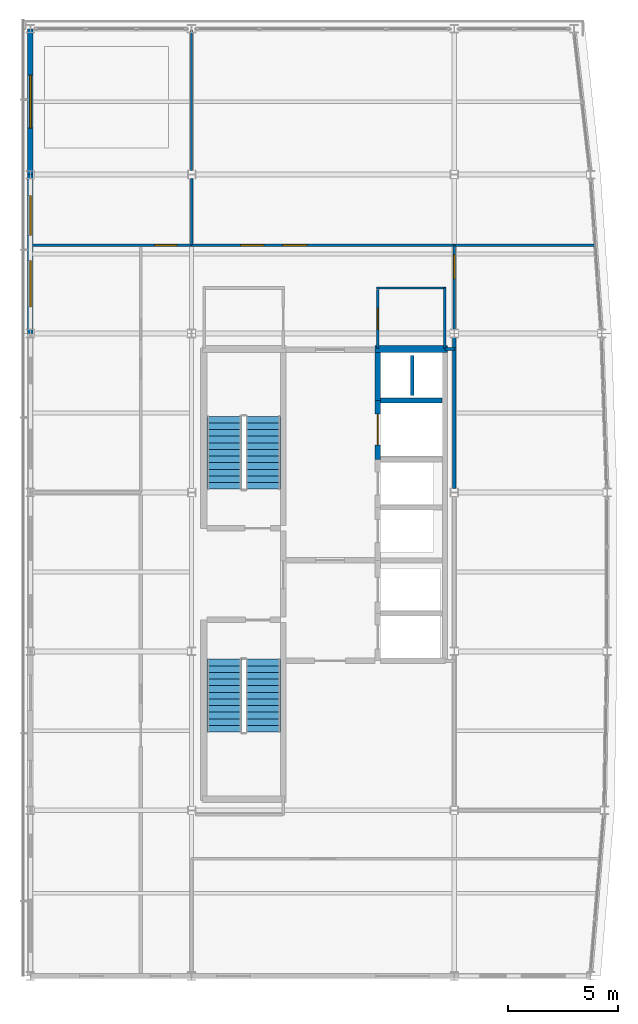
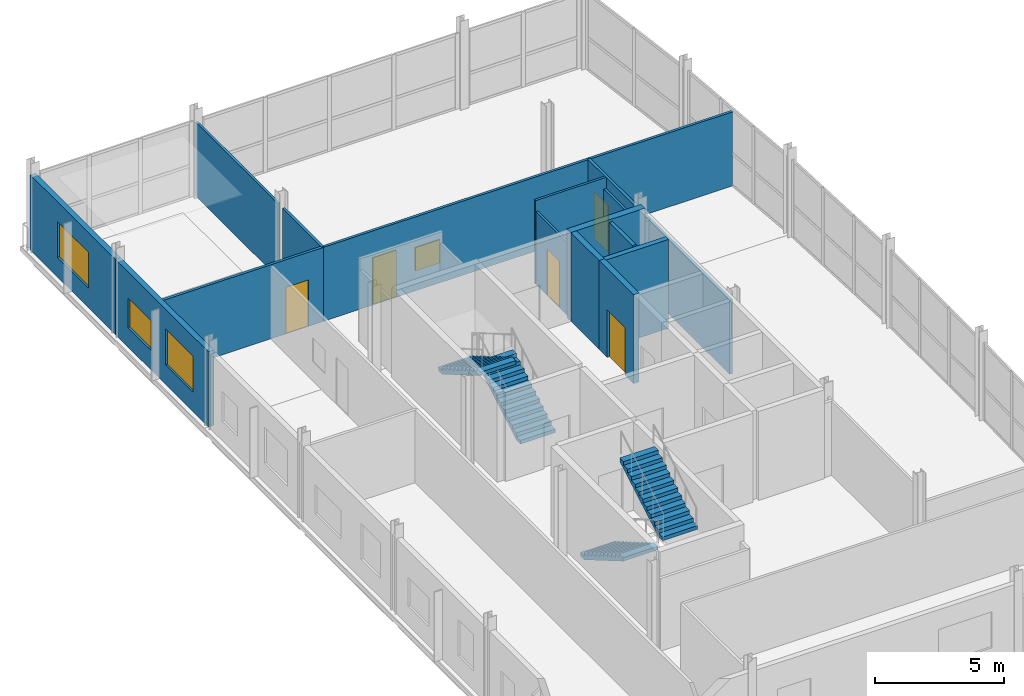
# One storey, part 13 of 16: 17 walls, 5 doors, 4 stair flights, 4 windows, 9 openings, 2 elements without a shape of their own.
"""IFC4 building model written with IfcOpenShell, lengths in metres."""

import ifcopenshell
import ifcopenshell.guid

model = None  # the IFC model being written
_history = None  # IfcOwnerHistory: only IFC2X3 demands one
_inside = {}  # id of a spatial element -> (the spatial element, [elements in it])
_under = {}  # id of a project, library or spatial element -> (it, [spatial elements below it])
_declared = {}  # id of a project -> (the project, [libraries it declares])
_typed = {}  # id of a type object -> (the type object, [elements of that type])
_made_of = {}  # id of a material, layer set ... -> (it, [elements and type objects made of it])


def new_model(schema):
    """Start an empty IFC model of exactly this schema.

    Asked for "IFC4X3", IfcOpenShell would pick the latest addendum, in which some entities
    have other attributes; the version numbers below select the first issue.
    IFC2X3 requires an IfcOwnerHistory on every rooted entity: one is made here for all.
    """
    global model, _history
    if schema == "IFC4X3":
        model = ifcopenshell.file(schema_version=(4, 3, 0, 0))
    else:
        model = ifcopenshell.file(schema=schema)
    _inside.clear()
    _under.clear()
    _declared.clear()
    _typed.clear()
    _made_of.clear()
    _history = None
    if model.schema == "IFC2X3":
        org = make("IfcOrganization", Name="unknown")
        user = make(
            "IfcPersonAndOrganization",
            ThePerson=make("IfcPerson", FamilyName="unknown"),
            TheOrganization=org,
        )
        app = make(
            "IfcApplication",
            ApplicationDeveloper=org,
            Version="unknown",
            ApplicationFullName="unknown",
            ApplicationIdentifier="unknown",
        )
        _history = make(
            "IfcOwnerHistory",
            OwningUser=user,
            OwningApplication=app,
            ChangeAction="ADDED",
            CreationDate=0,
        )
    return model


def make(cls, **values):
    """One entity of the class cls with the attributes given. An attribute that is None is left unset."""
    return model.create_entity(
        cls, **{name: value for name, value in values.items() if value is not None}
    )


def rooted(cls, **values):
    """An entity with a GlobalId (a new one), such as an element, a storey or a relation."""
    return make(cls, GlobalId=ifcopenshell.guid.new(), OwnerHistory=_history, **values)


def si_unit(unit_type, name, prefix=None):
    """IfcSIUnit, for example si_unit("LENGTHUNIT", "METRE", prefix="MILLI")."""
    return make("IfcSIUnit", UnitType=unit_type, Prefix=prefix, Name=name)


def assignment(units):
    """IfcUnitAssignment: the units of a project."""
    return None if units is None else make("IfcUnitAssignment", Units=units)


def point(xyz):
    """IfcCartesianPoint."""
    return None if xyz is None else make("IfcCartesianPoint", Coordinates=xyz)


def direction(xyz):
    """IfcDirection."""
    return None if xyz is None else make("IfcDirection", DirectionRatios=xyz)


def frame(location, z_axis=None, x_axis=None):
    """IfcAxis2Placement3D, a coordinate frame: its origin and axes. An axis left out is left unset."""
    return make(
        "IfcAxis2Placement3D",
        Location=point(location),
        Axis=direction(z_axis),
        RefDirection=direction(x_axis),
    )


def frame_2d(location, x_axis=None):
    """IfcAxis2Placement2D, a coordinate frame in the plane: its origin and x axis."""
    return make(
        "IfcAxis2Placement2D", Location=point(location), RefDirection=direction(x_axis)
    )


def origin():
    """The frame at (0, 0, 0) with its axes left unset."""
    return frame((0.0, 0.0, 0.0))


def place(relative_to, where):
    """IfcLocalPlacement: puts the frame where relative to a parent placement (None: the world)."""
    return make(
        "IfcLocalPlacement", PlacementRelTo=relative_to, RelativePlacement=where
    )


def context(
    kind, dimensions, precision=None, world=None, true_north=None, identifier=None
):
    """IfcGeometricRepresentationContext, for example the 3D "Model" context."""
    return make(
        "IfcGeometricRepresentationContext",
        ContextIdentifier=identifier,
        ContextType=kind,
        CoordinateSpaceDimension=dimensions,
        Precision=precision,
        WorldCoordinateSystem=world,
        TrueNorth=true_north,
    )


def subcontext(parent, identifier, kind, view, scale=None):
    """IfcGeometricRepresentationSubContext, for example "Body" below "Model"."""
    return make(
        "IfcGeometricRepresentationSubContext",
        ContextIdentifier=identifier,
        ContextType=kind,
        ParentContext=parent,
        TargetScale=scale,
        TargetView=view,
    )


def project(units=None, contexts=None):
    """IfcProject with its units and contexts."""
    return rooted(
        "IfcProject",
        Name="project",
        RepresentationContexts=contexts,
        UnitsInContext=assignment(units),
    )


def spatial(cls, under=None, at=None, **own):
    """A site, building, storey or space (cls), placed at a placement, below another one or the project."""
    s = rooted(cls, ObjectPlacement=at, **own)
    if under is not None:
        _under.setdefault(under.id(), (under, []))[1].append(s)
    return s


def polyline(points):
    """IfcPolyline through the points."""
    return make("IfcPolyline", Points=[point(p) for p in points])


def profile(cls, at=None, kind="AREA", **sizes):
    """A parametric profile (cls). Its sizes go by their IFC names, for example OverallWidth=200.0."""
    return make(cls, ProfileType=kind, Position=at, **sizes)


def rectangle(**sizes):
    """IfcRectangleProfileDef."""
    return profile("IfcRectangleProfileDef", **sizes)


def outline(outer, holes=None, kind="AREA"):
    """IfcArbitraryClosedProfileDef: a profile drawn as a closed curve; with holes, ...WithVoids."""
    if holes is None:
        return make("IfcArbitraryClosedProfileDef", ProfileType=kind, OuterCurve=outer)
    return make(
        "IfcArbitraryProfileDefWithVoids",
        ProfileType=kind,
        OuterCurve=outer,
        InnerCurves=holes,
    )


def extrude(swept, where, along, depth):
    """IfcExtrudedAreaSolid: the profile swept, set in the frame where, extruded along a direction by depth."""
    return make(
        "IfcExtrudedAreaSolid",
        SweptArea=swept,
        Position=where,
        ExtrudedDirection=direction(along),
        Depth=depth,
    )


def shape(context_of_items, identifier, shape_type, items):
    """IfcShapeRepresentation: the items that make up one representation, for example the "Body"."""
    return make(
        "IfcShapeRepresentation",
        ContextOfItems=context_of_items,
        RepresentationIdentifier=identifier,
        RepresentationType=shape_type,
        Items=items,
    )


def material(Name=None, Category=None):
    """IfcMaterial."""
    return make("IfcMaterial", Name=Name, Category=Category)


def layer(
    of_material, thickness, ventilated=None, Name=None, Category=None, Priority=None
):
    """IfcMaterialLayer: one layer of a wall or slab, of a material (None: an air gap)."""
    return make(
        "IfcMaterialLayer",
        Material=of_material,
        LayerThickness=thickness,
        IsVentilated=ventilated,
        Name=Name,
        Category=Category,
        Priority=Priority,
    )


def layer_set(layers, Name=None):
    """IfcMaterialLayerSet."""
    return make("IfcMaterialLayerSet", MaterialLayers=layers, LayerSetName=Name)


def made_of(thing, what):
    """Note that an element or type object is made of a material, layer set ...; save() writes the relation."""
    if what is not None:
        _made_of.setdefault(what.id(), (what, []))[1].append(thing)
    return thing


def type_object(cls, material=None, **own):
    """A type object (cls), such as IfcWallType, which elements share."""
    return made_of(rooted(cls, **own), material)


def element(
    cls,
    number,
    at=None,
    inside=None,
    cuts=None,
    type_object=None,
    material=None,
    context=None,
    identifier="Body",
    shape_type=None,
    held_by="IfcProductDefinitionShape",
    body=None,
    shapes=None,
    **own,
):
    """One element of the class cls, such as IfcWall. Its Tag is "e" and its number.

    at: its placement. inside: the storey or other place that contains it. cuts: it is an
    opening in that element (IfcRelVoidsElement). A single representation is given by context,
    identifier, shape_type and body (its items); several are given by shapes. held_by: the class
    of the entity that holds the representations. save() writes the other relations.
    """
    e = rooted(cls, Tag="e%d" % number, ObjectPlacement=at, **own)
    if body is not None:
        shapes = [shape(context, identifier, shape_type, body)]
    if shapes is not None:
        e.Representation = make(held_by, Representations=shapes)
    if inside is not None:
        _inside.setdefault(inside.id(), (inside, []))[1].append(e)
    if cuts is not None:
        rooted(
            "IfcRelVoidsElement", RelatingBuildingElement=cuts, RelatedOpeningElement=e
        )
    if type_object is not None:
        _typed.setdefault(type_object.id(), (type_object, []))[1].append(e)
    return made_of(e, material)


def fill(opening, filler):
    """IfcRelFillsElement: the door or window that sits in an opening."""
    return rooted(
        "IfcRelFillsElement",
        RelatingOpeningElement=opening,
        RelatedBuildingElement=filler,
    )


def aggregate(whole, parts):
    """IfcRelAggregates: a whole, such as a stair, and the parts it consists of."""
    return rooted("IfcRelAggregates", RelatingObject=whole, RelatedObjects=parts)


def save(model, path):
    """Write the relations noted so far, then the file.

    IfcRelAggregates (storeys below a building ...), IfcRelContainedInSpatialStructure (elements
    in a storey), IfcRelDefinesByType, IfcRelAssociatesMaterial and IfcRelDeclares: one each for
    every whole, place, type object, material and project.
    """
    for whole, parts in _under.values():
        aggregate(whole, parts)
    for where, things in _inside.values():
        rooted(
            "IfcRelContainedInSpatialStructure",
            RelatedElements=things,
            RelatingStructure=where,
        )
    for kind, things in _typed.values():
        rooted("IfcRelDefinesByType", RelatedObjects=things, RelatingType=kind)
    for what, things in _made_of.values():
        rooted("IfcRelAssociatesMaterial", RelatedObjects=things, RelatingMaterial=what)
    for by, libraries in _declared.values():
        rooted("IfcRelDeclares", RelatingContext=by, RelatedDefinitions=libraries)
    model.write(path)


model = new_model("IFC4")

# Units and contexts
model_context = context("Model", 3, precision=1e-05, world=origin(), true_north=direction((0.0, 1.0)))
body_context = subcontext(model_context, "Body", "Model", "MODEL_VIEW")
ifc_project = project(units=[si_unit("LENGTHUNIT", "METRE"), si_unit("AREAUNIT", "SQUARE_METRE"), si_unit("VOLUMEUNIT", "CUBIC_METRE"), si_unit("PLANEANGLEUNIT", "RADIAN"), si_unit("MASSUNIT", "GRAM", prefix="KILO")], contexts=[model_context])

# Site, building, storey
site_placement = place(None, origin())
site = spatial("IfcSite", under=ifc_project, at=site_placement, CompositionType="ELEMENT")
building_placement = place(site_placement, origin())
building = spatial("IfcBuilding", under=site, at=building_placement, Name="Quillay Park Conservatory", CompositionType="ELEMENT")
storey_placement = place(building_placement, frame((0.0, 0.0, 43.5)))
storey = spatial("IfcBuildingStorey", under=building, at=storey_placement, Name="L10", CompositionType="ELEMENT", Elevation=43.5)

# Wall, opening, door
ifc_material_1 = material(Name="Steel-Stud Acoustic Gypsum Board Partition", Category="steel")
ifc_layer_1 = layer(ifc_material_1, 0.10009765625)
ifc_layer_set_1 = layer_set([ifc_layer_1], Name="ACOUSTIC GYPSUM PARTITION 100 (Steel-Stud Acoustic Gypsum Board Partition)")
wall_type_1 = type_object("IfcWallType", Name="ACOUSTIC GYPSUM PARTITION 100", PredefinedType="PARTITIONING", material=ifc_layer_set_1)
wall_1_placement = place(storey_placement, frame((16.280029296875, 98.919921875, 0.0), z_axis=(0.0, 0.0, 1.0), x_axis=(0.0, 1.0, 0.0)))
wall_1 = element("IfcWall", 1, at=wall_1_placement, inside=storey, type_object=wall_type_1, Name="L10 Washroom Door Wall", PredefinedType="PARTITIONING", context=body_context, shape_type="SweptSolid", body=[
    extrude(rectangle(XDim=2.68017578125, YDim=0.10009765625, at=frame_2d((1.340087890625, 0.0))), origin(), (0.0, 0.0, 1.0), 3.426025390625),
])
opening_1_placement = place(wall_1_placement, frame((0.864990234375, 0.0, 0.0)))
opening_1 = element("IfcOpeningElement", 2, at=opening_1_placement, cuts=wall_1, Name="Opening D-RM13", PredefinedType="OPENING", context=body_context, shape_type="SweptSolid", body=[
    extrude(rectangle(XDim=0.949951171875, YDim=2.199951171875, at=frame_2d((0.47509765625, 1.10009765625))), frame((0.0, 0.050048828125, 0.0), z_axis=(0.0, -1.0, 0.0), x_axis=(1.0, 0.0, 0.0)), (0.0, 0.0, 1.0), 0.10009765625),
])
ifc_material_2 = material(Name="Thermally Broken Anodised Aluminium 6063-T6", Category="aluminium")
door_type_1 = type_object("IfcDoorType", Name="SINGLE SWING DOOR 950 X2200", OperationType="NOTDEFINED", PredefinedType="DOOR", material=ifc_material_2)
door_1_placement = place(opening_1_placement, origin())
door_1 = element("IfcDoor", 3, at=door_1_placement, inside=storey, type_object=door_type_1, Name="L10 Door to L10 Restroom and Washroom", OperationType="SINGLE_SWING_RIGHT", OverallHeight=2.199951171875, OverallWidth=0.949951171875, PredefinedType="DOOR", context=body_context, shape_type="SweptSolid", body=[
    extrude(rectangle(XDim=0.949951171875, YDim=2.199951171875, at=frame_2d((0.47509765625, 1.10009765625))), frame((0.0, 0.02490234375, 0.0), z_axis=(0.0, -1.0, 0.0), x_axis=(1.0, 0.0, 0.0)), (0.0, 0.0, 1.0), 0.050048828125),
])
fill(opening_1, door_1)

# Walls
ifc_material_3 = material(Name="Steel-Stud Acoustic Gypsum Board Partition", Category="steel")
ifc_layer_2 = layer(ifc_material_3, 0.10498046875)
ifc_layer_set_2 = layer_set([ifc_layer_2], Name="ACOUSTIC GYPSUM PARTITION 105 (Steel-Stud Acoustic Gypsum Board Partition)")
wall_type_2 = type_object("IfcWallType", Name="ACOUSTIC GYPSUM PARTITION 105", PredefinedType="PARTITIONING", material=ifc_layer_set_2)
wall_2_placement = place(storey_placement, frame((19.3798828125, 101.659912109375, 0.0), z_axis=(0.0, 0.0, 1.0), x_axis=(-1.0, 0.0, 0.0)))
element("IfcWall", 4, at=wall_2_placement, inside=storey, type_object=wall_type_2, Name="L10 Washroom North Wall", PredefinedType="PARTITIONING", context=body_context, shape_type="SweptSolid", body=[
    extrude(rectangle(XDim=3.159912109375, YDim=0.10498046875, at=frame_2d((1.580078125, 0.0))), origin(), (0.0, 0.0, 1.0), 3.949951171875),
])
wall_3_placement = place(storey_placement, frame((7.85009765625, 113.35009765625, 0.0), z_axis=(0.0, 0.0, 1.0), x_axis=(0.0, -1.0, 0.0)))
element("IfcWall", 5, at=wall_3_placement, inside=storey, type_object=wall_type_2, Name="L10 North Divider 7 N", PredefinedType="PARTITIONING", context=body_context, shape_type="SweptSolid", body=[
    extrude(rectangle(XDim=6.36962890625, YDim=0.10498046875, at=frame_2d((3.184814453125, 0.0))), origin(), (0.0, 0.0, 1.0), 3.501953125),
])
ifc_material_4 = material(Name="Steel-Stud Acoustic Gypsum Board Partition", Category="steel")
ifc_layer_3 = layer(ifc_material_4, 0.110107421875)
ifc_layer_set_3 = layer_set([ifc_layer_3], Name="ACOUSTIC GYPSUM PARTITION 110 (Steel-Stud Acoustic Gypsum Board Partition)")
wall_type_3 = type_object("IfcWallType", Name="ACOUSTIC GYPSUM PARTITION 110", PredefinedType="PARTITIONING", material=ifc_layer_set_3)
wall_4_placement = place(storey_placement, frame((19.320068359375, 98.919921875, 0.0), z_axis=(0.0, 0.0, 1.0), x_axis=(0.0, 1.0, 0.0)))
element("IfcWall", 6, at=wall_4_placement, inside=storey, type_object=wall_type_3, Name="L10 Washroom East Wall", PredefinedType="PARTITIONING", context=body_context, shape_type="SweptSolid", body=[
    extrude(rectangle(XDim=2.739990234375, YDim=0.110107421875, at=frame_2d((1.3701171875, 0.0))), origin(), (0.0, 0.0, 1.0), 3.426025390625),
])
wall_5_placement = place(storey_placement, frame((7.85009765625, 106.619384765625, 0.0), z_axis=(0.0, 0.0, 1.0), x_axis=(0.0, -1.0, 0.0)))
element("IfcWall", 7, at=wall_5_placement, inside=storey, type_object=wall_type_3, Name="L10 North Divider 7 S", PredefinedType="PARTITIONING", context=body_context, shape_type="SweptSolid", body=[
    extrude(rectangle(XDim=3.019287109375, YDim=0.110107421875, at=frame_2d((1.509765625, 0.0))), origin(), (0.0, 0.0, 1.0), 3.501953125),
])

# Wall, openings, window, door
ifc_material_5 = material(Name="Steel-Stud Acoustic Gypsum Board Partition", Category="steel")
ifc_layer_4 = layer(ifc_material_5, 0.114990234375)
ifc_layer_set_4 = layer_set([ifc_layer_4], Name="ACOUSTIC GYPSUM PARTITION 115 (Steel-Stud Acoustic Gypsum Board Partition)")
wall_type_4 = type_object("IfcWallType", Name="ACOUSTIC GYPSUM PARTITION 115", PredefinedType="PARTITIONING", material=ifc_layer_set_4)
wall_6_placement = place(storey_placement, frame((7.85009765625, 103.60009765625, 0.0), z_axis=(0.0, 0.0, 1.0), x_axis=(1.0, 0.0, 0.0)))
wall_6 = element("IfcWall", 8, at=wall_6_placement, inside=storey, type_object=wall_type_4, Name="L10 L10 Plant Genomics Sequencing Research Laboratory South Wall", PredefinedType="PARTITIONING", context=body_context, shape_type="SweptSolid", body=[
    extrude(rectangle(XDim=18.31494140625, YDim=0.114990234375, at=frame_2d((9.157470703125, 0.0))), origin(), (0.0, 0.0, 1.0), 3.501953125),
])
opening_2_placement = place(wall_6_placement, frame((2.22509765625, 0.0, 0.0)))
opening_2 = element("IfcOpeningElement", 9, at=opening_2_placement, cuts=wall_6, Name="Opening D-RM15", PredefinedType="OPENING", context=body_context, shape_type="SweptSolid", body=[
    extrude(rectangle(XDim=1.050048828125, YDim=2.199951171875, at=frame_2d((0.52490234375, 1.10009765625))), frame((0.0, 0.0576171875, 0.0), z_axis=(0.0, -1.0, 0.0), x_axis=(1.0, 0.0, 0.0)), (0.0, 0.0, 1.0), 0.114990234375),
])
opening_3_placement = place(wall_6_placement, frame((4.125, 0.0, 0.919921875)))
opening_3 = element("IfcOpeningElement", 10, at=opening_3_placement, cuts=wall_6, Name="Opening W-IN03", PredefinedType="OPENING", context=body_context, shape_type="SweptSolid", body=[
    extrude(rectangle(XDim=1.10009765625, YDim=1.10009765625, at=frame_2d((0.550048828125, 0.550048828125))), frame((0.0, 0.0576171875, 0.0), z_axis=(0.0, -1.0, 0.0), x_axis=(1.0, 0.0, 0.0)), (0.0, 0.0, 1.0), 0.114990234375),
])
ifc_material_6 = material(Name="Low-E Double Glazing (Laminated Tempered)", Category="glass")
window_type_1 = type_object("IfcWindowType", Name="OPERABLE VENT WINDOW 1100 X1100", PartitioningType="SINGLE_PANEL", PredefinedType="WINDOW", material=ifc_material_6)
window_1_placement = place(opening_3_placement, origin())
window_1 = element("IfcWindow", 11, at=window_1_placement, inside=storey, type_object=window_type_1, Name="L10 Laboratory Vision Panel 039", OverallHeight=1.10009765625, OverallWidth=1.10009765625, PartitioningType="SINGLE_PANEL", PredefinedType="WINDOW", context=body_context, shape_type="SweptSolid", body=[
    extrude(rectangle(XDim=1.10009765625, YDim=1.10009765625, at=frame_2d((0.550048828125, 0.550048828125))), frame((0.0, 0.030029296875, 0.0), z_axis=(0.0, -1.0, 0.0), x_axis=(1.0, 0.0, 0.0)), (0.0, 0.0, 1.0), 0.06005859375),
])
fill(opening_3, window_1)
ifc_material_7 = material(Name="Thermally Broken Anodised Aluminium 6063-T6", Category="aluminium")
door_type_2 = type_object("IfcDoorType", Name="SINGLE SWING DOOR 1050 X2200", OperationType="NOTDEFINED", PredefinedType="DOOR", material=ifc_material_7)
door_2_placement = place(opening_2_placement, origin())
door_2 = element("IfcDoor", 12, at=door_2_placement, inside=storey, type_object=door_type_2, Name="L10 Door to L10 Plant Genomics Sequencing Research Laboratory", OperationType="SINGLE_SWING_LEFT", OverallHeight=2.199951171875, OverallWidth=1.050048828125, PredefinedType="DOOR", context=body_context, shape_type="SweptSolid", body=[
    extrude(rectangle(XDim=1.050048828125, YDim=2.199951171875, at=frame_2d((0.52490234375, 1.10009765625))), frame((0.0, 0.02490234375, 0.0), z_axis=(0.0, -1.0, 0.0), x_axis=(1.0, 0.0, 0.0)), (0.0, 0.0, 1.0), 0.050048828125),
])
fill(opening_2, door_2)

# Wall, opening, door
ifc_material_8 = material(Name="Steel-Stud Acoustic Gypsum Board Partition", Category="steel")
ifc_layer_5 = layer(ifc_material_8, 0.1201171875)
ifc_layer_set_5 = layer_set([ifc_layer_5], Name="ACOUSTIC GYPSUM PARTITION 120 (Steel-Stud Acoustic Gypsum Board Partition)")
wall_type_5 = type_object("IfcWallType", Name="ACOUSTIC GYPSUM PARTITION 120", PredefinedType="PARTITIONING", material=ifc_layer_set_5)
wall_7_placement = place(storey_placement, frame((0.64990234375, 103.60009765625, 0.0), z_axis=(0.0, 0.0, 1.0), x_axis=(1.0, 0.0, 0.0)))
wall_7 = element("IfcWall", 13, at=wall_7_placement, inside=storey, type_object=wall_type_5, Name="L10 L10 Plant Epigenetics Assay Room South Wall", PredefinedType="PARTITIONING", context=body_context, shape_type="SweptSolid", body=[
    extrude(rectangle(XDim=7.2001953125, YDim=0.1201171875, at=frame_2d((3.60009765625, 0.0))), origin(), (0.0, 0.0, 1.0), 3.501953125),
])
opening_4_placement = place(wall_7_placement, frame((5.530029296875, 0.0, 0.0)))
opening_4 = element("IfcOpeningElement", 14, at=opening_4_placement, cuts=wall_7, Name="Opening D-RM14", PredefinedType="OPENING", context=body_context, shape_type="SweptSolid", body=[
    extrude(rectangle(XDim=1.0, YDim=2.199951171875, at=frame_2d((0.5, 1.10009765625))), frame((0.0, 0.06005859375, 0.0), z_axis=(0.0, -1.0, 0.0), x_axis=(1.0, 0.0, 0.0)), (0.0, 0.0, 1.0), 0.1201171875),
])
ifc_material_9 = material(Name="Thermally Broken Anodised Aluminium 6063-T6", Category="aluminium")
door_type_3 = type_object("IfcDoorType", Name="SINGLE SWING DOOR 1000 X2200", OperationType="NOTDEFINED", PredefinedType="DOOR", material=ifc_material_9)
door_3_placement = place(opening_4_placement, origin())
door_3 = element("IfcDoor", 15, at=door_3_placement, inside=storey, type_object=door_type_3, Name="L10 Door to L10 Plant Epigenetics Assay Room", OperationType="SINGLE_SWING_RIGHT", OverallHeight=2.199951171875, OverallWidth=1.0, PredefinedType="DOOR", context=body_context, shape_type="SweptSolid", body=[
    extrude(rectangle(XDim=1.0, YDim=2.199951171875, at=frame_2d((0.5, 1.10009765625))), frame((0.0, 0.02490234375, 0.0), z_axis=(0.0, -1.0, 0.0), x_axis=(1.0, 0.0, 0.0)), (0.0, 0.0, 1.0), 0.050048828125),
])
fill(opening_4, door_3)

ifc_material_10 = material(Name="Steel-Stud Acoustic Gypsum Board Partition", Category="steel")
ifc_layer_6 = layer(ifc_material_10, 0.1298828125)
ifc_layer_set_6 = layer_set([ifc_layer_6], Name="ACOUSTIC GYPSUM PARTITION 130 (Steel-Stud Acoustic Gypsum Board Partition)")
wall_type_6 = type_object("IfcWallType", Name="ACOUSTIC GYPSUM PARTITION 130", PredefinedType="PARTITIONING", material=ifc_layer_set_6)
wall_8_placement = place(storey_placement, frame((19.75, 99.777099609375, 0.0), z_axis=(0.0, 0.0, 1.0), x_axis=(0.0, 1.0, 0.0)))
wall_8 = element("IfcWall", 16, at=wall_8_placement, inside=storey, type_object=wall_type_6, Name="L10 L10 Genomics Bioassay Wet Laboratory West Wall 4", PredefinedType="PARTITIONING", context=body_context, shape_type="SweptSolid", body=[
    extrude(rectangle(XDim=3.822998046875, YDim=0.1298828125, at=frame_2d((1.91162109375, 0.0))), origin(), (0.0, 0.0, 1.0), 3.501953125),
])
opening_5_placement = place(wall_8_placement, frame((2.29296875, 0.0, 0.0)))
opening_5 = element("IfcOpeningElement", 17, at=opening_5_placement, cuts=wall_8, Name="Opening D-RM16", PredefinedType="OPENING", context=body_context, shape_type="SweptSolid", body=[
    extrude(rectangle(XDim=1.10009765625, YDim=2.199951171875, at=frame_2d((0.550048828125, 1.10009765625))), frame((0.0, 0.06494140625, 0.0), z_axis=(0.0, -1.0, 0.0), x_axis=(1.0, 0.0, 0.0)), (0.0, 0.0, 1.0), 0.1298828125),
])
ifc_material_11 = material(Name="Thermally Broken Anodised Aluminium 6063-T6", Category="aluminium")
door_type_4 = type_object("IfcDoorType", Name="SINGLE SWING DOOR 1100 X2200", OperationType="NOTDEFINED", PredefinedType="DOOR", material=ifc_material_11)
door_4_placement = place(opening_5_placement, origin())
door_4 = element("IfcDoor", 18, at=door_4_placement, inside=storey, type_object=door_type_4, Name="L10 Door to L10 Genomics Bioassay Wet Laboratory", OperationType="SINGLE_SWING_RIGHT", OverallHeight=2.199951171875, OverallWidth=1.10009765625, PredefinedType="DOOR", context=body_context, shape_type="SweptSolid", body=[
    extrude(rectangle(XDim=1.10009765625, YDim=2.199951171875, at=frame_2d((0.550048828125, 1.10009765625))), frame((0.0, 0.02490234375, 0.0), z_axis=(0.0, -1.0, 0.0), x_axis=(1.0, 0.0, 0.0)), (0.0, 0.0, 1.0), 0.050048828125),
])
fill(opening_5, door_4)

# Walls
ifc_material_12 = material(Name="Steel-Stud Acoustic Gypsum Board Partition", Category="steel")
ifc_layer_7 = layer(ifc_material_12, 0.139892578125)
ifc_layer_set_7 = layer_set([ifc_layer_7], Name="ACOUSTIC GYPSUM PARTITION 140 (Steel-Stud Acoustic Gypsum Board Partition)")
wall_type_7 = type_object("IfcWallType", Name="ACOUSTIC GYPSUM PARTITION 140", PredefinedType="PARTITIONING", material=ifc_layer_set_7)
wall_9_placement = place(storey_placement, frame((19.75, 92.58056640625, 0.0), z_axis=(0.0, 0.0, 1.0), x_axis=(0.0, 1.0, 0.0)))
element("IfcWall", 19, at=wall_9_placement, inside=storey, type_object=wall_type_7, Name="L10 L10 Genomics Bioassay Wet Laboratory West Wall 3", PredefinedType="PARTITIONING", context=body_context, shape_type="SweptSolid", body=[
    extrude(rectangle(XDim=6.842529296875, YDim=0.139892578125, at=frame_2d((3.42138671875, 0.0))), origin(), (0.0, 0.0, 1.0), 3.501953125),
])
ifc_material_13 = material(Name="Steel-Stud Acoustic Gypsum Board Partition", Category="steel")
ifc_layer_8 = layer(ifc_material_13, 0.14990234375)
ifc_layer_set_8 = layer_set([ifc_layer_8], Name="ACOUSTIC GYPSUM PARTITION 150 (Steel-Stud Acoustic Gypsum Board Partition)")
wall_type_8 = type_object("IfcWallType", Name="ACOUSTIC GYPSUM PARTITION 150", PredefinedType="PARTITIONING", material=ifc_layer_set_8)
wall_10_placement = place(storey_placement, frame((19.75, 98.89990234375, 0.0), z_axis=(0.0, 0.0, 1.0), x_axis=(-1.0, 0.0, 0.0)))
element("IfcWall", 20, at=wall_10_placement, inside=storey, type_object=wall_type_8, Name="L10 Core North-East Closure", PredefinedType="PARTITIONING", context=body_context, shape_type="SweptSolid", body=[
    extrude(rectangle(XDim=0.429931640625, YDim=0.14990234375, at=frame_2d((0.21484375, 0.0))), origin(), (0.0, 0.0, 1.0), 3.501953125),
])
ifc_material_14 = material(Name="Concrete C35/45 (NCh170 Concrete C35/45)", Category="concrete")
ifc_layer_9 = layer(ifc_material_14, 0.22509765625)
ifc_layer_set_9 = layer_set([ifc_layer_9], Name="CORE SHEAR WALL 225 (Concrete C35/45 (NCh170 Concrete C35/45))")
wall_type_9 = type_object("IfcWallType", Name="CORE SHEAR WALL 225", PredefinedType="SHEAR", material=ifc_layer_set_9)
wall_11_placement = place(storey_placement, frame((16.39990234375, 96.574951171875, 0.0), z_axis=(0.0, 0.0, 1.0), x_axis=(1.0, 0.0, 0.0)))
element("IfcWall", 21, at=wall_11_placement, inside=storey, type_object=wall_type_9, Name="L10 Core Shear Wall WL-LFDIV-L10-965", PredefinedType="SHEAR", context=body_context, shape_type="SweptSolid", body=[
    extrude(rectangle(XDim=2.800048828125, YDim=0.22509765625, at=frame_2d((1.39990234375, 0.0))), origin(), (0.0, 0.0, 1.0), 4.199951171875),
])

# Wall, opening, door
ifc_material_15 = material(Name="Concrete C40/50 (NCh170 Concrete C40/50)", Category="concrete")
ifc_layer_10 = layer(ifc_material_15, 0.25)
ifc_layer_set_10 = layer_set([ifc_layer_10], Name="CORE SHEAR WALL 250 (Concrete C40/50 (NCh170 Concrete C40/50))")
wall_type_10 = type_object("IfcWallType", Name="CORE SHEAR WALL 250", PredefinedType="SHEAR", material=ifc_layer_set_10)
wall_12_placement = place(storey_placement, frame((16.27490234375, 93.89990234375, 0.0), z_axis=(0.0, 0.0, 1.0), x_axis=(0.0, 1.0, 0.0)))
wall_12 = element("IfcWall", 22, at=wall_12_placement, inside=storey, type_object=wall_type_10, Name="L10 Core Shear Wall WL-LFFR-L10-LF-G1", PredefinedType="SHEAR", context=body_context, shape_type="SweptSolid", body=[
    extrude(rectangle(XDim=2.675048828125, YDim=0.25, at=frame_2d((1.33740234375, 0.0))), origin(), (0.0, 0.0, 1.0), 4.199951171875),
])
opening_6_placement = place(wall_12_placement, frame((0.64990234375, 0.0, 0.0)))
opening_6 = element("IfcOpeningElement", 23, at=opening_6_placement, cuts=wall_12, Name="Opening LD03", PredefinedType="OPENING", context=body_context, shape_type="SweptSolid", body=[
    extrude(rectangle(XDim=1.39990234375, YDim=2.25, at=frame_2d((0.699951171875, 1.125))), frame((0.0, 0.125, 0.0), z_axis=(0.0, -1.0, 0.0), x_axis=(1.0, 0.0, 0.0)), (0.0, 0.0, 1.0), 0.25),
])
ifc_material_16 = material(Name="Steel ASTM A572 Grade 50", Category="steel")
door_type_5 = type_object("IfcDoorType", Name="LIFT LANDING SLIDING DOOR 1400 X2250", OperationType="NOTDEFINED", PredefinedType="DOOR", material=ifc_material_16)
door_5_placement = place(opening_6_placement, origin())
door_5 = element("IfcDoor", 24, at=door_5_placement, inside=storey, type_object=door_type_5, Name="L10 LF-G1 Lift Landing Door LD03", OperationType="SLIDING_TO_LEFT", OverallHeight=2.25, OverallWidth=1.39990234375, PredefinedType="DOOR", context=body_context, shape_type="SweptSolid", body=[
    extrude(rectangle(XDim=1.39990234375, YDim=2.25, at=frame_2d((0.699951171875, 1.125))), frame((0.0, 0.02490234375, 0.0), z_axis=(0.0, -1.0, 0.0), x_axis=(1.0, 0.0, 0.0)), (0.0, 0.0, 1.0), 0.050048828125),
])
fill(opening_6, door_5)

# Walls
wall_13_placement = place(storey_placement, frame((16.27490234375, 96.574951171875, 0.0), z_axis=(0.0, 0.0, 1.0), x_axis=(0.0, 1.0, 0.0)))
element("IfcWall", 25, at=wall_13_placement, inside=storey, type_object=wall_type_10, Name="L10 Core Shear Wall WL-MEPR-L10", PredefinedType="SHEAR", context=body_context, shape_type="SweptSolid", body=[
    extrude(rectangle(XDim=2.175048828125, YDim=0.25, at=frame_2d((1.08740234375, 0.0))), origin(), (0.0, 0.0, 1.0), 4.199951171875),
])
ifc_material_17 = material(Name="Concrete C40/50 (NCh170 Concrete C40/50)", Category="concrete")
ifc_layer_11 = layer(ifc_material_17, 0.300048828125)
ifc_layer_set_11 = layer_set([ifc_layer_11], Name="CORE SHEAR WALL 300 (Concrete C40/50 (NCh170 Concrete C40/50))")
wall_type_11 = type_object("IfcWallType", Name="CORE SHEAR WALL 300", PredefinedType="SHEAR", material=ifc_layer_set_11)
wall_14_placement = place(storey_placement, frame((16.14990234375, 98.89990234375, 0.0), z_axis=(0.0, 0.0, 1.0), x_axis=(1.0, 0.0, 0.0)))
element("IfcWall", 26, at=wall_14_placement, inside=storey, type_object=wall_type_11, Name="L10 Core Shear Wall WL-TCN-E-L10", PredefinedType="SHEAR", context=body_context, shape_type="SweptSolid", body=[
    extrude(rectangle(XDim=3.300048828125, YDim=0.300048828125, at=frame_2d((1.64990234375, 0.0))), origin(), (0.0, 0.0, 1.0), 4.199951171875),
])

# Wall, openings, windows
ifc_material_18 = material(Name="Glass-Fibre Reinforced Concrete (GRC) Cladding", Category="concrete")
ifc_layer_12 = layer(ifc_material_18, 0.239990234375)
ifc_layer_set_12 = layer_set([ifc_layer_12], Name="EXTERIOR SOLID WALL 240 (Glass-Fibre Reinforced Concrete (GRC) Cladding)")
wall_type_12 = type_object("IfcWallType", Name="EXTERIOR SOLID WALL 240", PredefinedType="SOLIDWALL", material=ifc_layer_set_12)
wall_15_placement = place(storey_placement, frame((0.550048828125, 99.60009765625, 0.0), z_axis=(0.0, 0.0, 1.0), x_axis=(0.0, 1.0, 0.0)))
wall_15 = element("IfcWall", 27, at=wall_15_placement, inside=storey, type_object=wall_type_12, Name="L10 External Wall WL-EXT-V4W-L10-4", PredefinedType="SOLIDWALL", context=body_context, shape_type="SweptSolid", body=[
    extrude(rectangle(XDim=7.199951171875, YDim=0.239990234375, at=frame_2d((3.60009765625, 0.0))), origin(), (0.0, 0.0, 1.0), 3.552001953125),
])
opening_7_placement = place(wall_15_placement, frame((1.205078125, 0.0, 0.919921875)))
opening_7 = element("IfcOpeningElement", 28, at=opening_7_placement, cuts=wall_15, Name="Opening W-15", PredefinedType="OPENING", context=body_context, shape_type="SweptSolid", body=[
    extrude(rectangle(XDim=2.10009765625, YDim=1.699951171875, at=frame_2d((1.050048828125, 0.85009765625))), frame((0.0, 0.1201171875, 0.0), z_axis=(0.0, -1.0, 0.0), x_axis=(1.0, 0.0, 0.0)), (0.0, 0.0, 1.0), 0.239990234375),
])
opening_8_placement = place(wall_15_placement, frame((4.445068359375, 0.0, 0.919921875)))
opening_8 = element("IfcOpeningElement", 29, at=opening_8_placement, cuts=wall_15, Name="Opening W-05", PredefinedType="OPENING", context=body_context, shape_type="SweptSolid", body=[
    extrude(rectangle(XDim=1.800048828125, YDim=1.39990234375, at=frame_2d((0.89990234375, 0.699951171875))), frame((0.0, 0.1201171875, 0.0), z_axis=(0.0, -1.0, 0.0), x_axis=(1.0, 0.0, 0.0)), (0.0, 0.0, 1.0), 0.239990234375),
])
ifc_material_19 = material(Name="Low-E Double Glazing (Laminated Tempered)", Category="glass")
window_type_2 = type_object("IfcWindowType", Name="FIXED CASEMENT WINDOW 1800 X1400", PartitioningType="DOUBLE_PANEL_VERTICAL", PredefinedType="WINDOW", material=ifc_material_19)
window_2_placement = place(opening_8_placement, origin())
window_2 = element("IfcWindow", 30, at=window_2_placement, inside=storey, type_object=window_type_2, Name="L10 Exterior Window 0245", OverallHeight=1.39990234375, OverallWidth=1.800048828125, PartitioningType="DOUBLE_PANEL_VERTICAL", PredefinedType="WINDOW", context=body_context, shape_type="SweptSolid", body=[
    extrude(rectangle(XDim=1.800048828125, YDim=1.39990234375, at=frame_2d((0.89990234375, 0.699951171875))), frame((0.0, 0.030029296875, 0.0), z_axis=(0.0, -1.0, 0.0), x_axis=(1.0, 0.0, 0.0)), (0.0, 0.0, 1.0), 0.06005859375),
])
fill(opening_8, window_2)
ifc_material_20 = material(Name="Low-E Double Glazing (Laminated Tempered)", Category="glass")
window_type_3 = type_object("IfcWindowType", Name="FIXED CASEMENT WINDOW 2100 X1700", PartitioningType="DOUBLE_PANEL_VERTICAL", PredefinedType="WINDOW", material=ifc_material_20)
window_3_placement = place(opening_7_placement, origin())
window_3 = element("IfcWindow", 31, at=window_3_placement, inside=storey, type_object=window_type_3, Name="L10 Exterior Window 0244", OverallHeight=1.699951171875, OverallWidth=2.10009765625, PartitioningType="DOUBLE_PANEL_VERTICAL", PredefinedType="WINDOW", context=body_context, shape_type="SweptSolid", body=[
    extrude(rectangle(XDim=2.10009765625, YDim=1.699951171875, at=frame_2d((1.050048828125, 0.85009765625))), frame((0.0, 0.030029296875, 0.0), z_axis=(0.0, -1.0, 0.0), x_axis=(1.0, 0.0, 0.0)), (0.0, 0.0, 1.0), 0.06005859375),
])
fill(opening_7, window_3)

# Wall, opening, window
wall_16_placement = place(storey_placement, frame((0.550048828125, 106.800048828125, 0.0), z_axis=(0.0, 0.0, 1.0), x_axis=(0.0, 1.0, 0.0)))
wall_16 = element("IfcWall", 32, at=wall_16_placement, inside=storey, type_object=wall_type_12, Name="L10 External Wall WL-EXT-V4W-L10-5", PredefinedType="SOLIDWALL", context=body_context, shape_type="SweptSolid", body=[
    extrude(rectangle(XDim=6.599853515625, YDim=0.239990234375, at=frame_2d((3.2998046875, 0.0))), origin(), (0.0, 0.0, 1.0), 3.552001953125),
])
opening_9_placement = place(wall_16_placement, frame((2.10009765625, 0.0, 0.919921875)))
opening_9 = element("IfcOpeningElement", 33, at=opening_9_placement, cuts=wall_16, Name="Opening W-16", PredefinedType="OPENING", context=body_context, shape_type="SweptSolid", body=[
    extrude(rectangle(XDim=2.39990234375, YDim=1.699951171875, at=frame_2d((1.199951171875, 0.85009765625))), frame((0.0, 0.1201171875, 0.0), z_axis=(0.0, -1.0, 0.0), x_axis=(1.0, 0.0, 0.0)), (0.0, 0.0, 1.0), 0.239990234375),
])
ifc_material_21 = material(Name="Low-E Double Glazing (Laminated Tempered)", Category="glass")
window_type_4 = type_object("IfcWindowType", Name="FIXED CASEMENT WINDOW 2400 X1700", PartitioningType="DOUBLE_PANEL_VERTICAL", PredefinedType="WINDOW", material=ifc_material_21)
window_4_placement = place(opening_9_placement, origin())
window_4 = element("IfcWindow", 34, at=window_4_placement, inside=storey, type_object=window_type_4, Name="L10 Exterior Window 0246", OverallHeight=1.699951171875, OverallWidth=2.39990234375, PartitioningType="DOUBLE_PANEL_VERTICAL", PredefinedType="WINDOW", context=body_context, shape_type="SweptSolid", body=[
    extrude(rectangle(XDim=2.39990234375, YDim=1.699951171875, at=frame_2d((1.199951171875, 0.85009765625))), frame((0.0, 0.030029296875, 0.0), z_axis=(0.0, -1.0, 0.0), x_axis=(1.0, 0.0, 0.0)), (0.0, 0.0, 1.0), 0.06005859375),
])
fill(opening_9, window_4)

# Wall
ifc_material_22 = material(Name="Steel-Stud Acoustic Gypsum Board Partition", Category="steel")
ifc_layer_13 = layer(ifc_material_22, 0.1650390625)
ifc_layer_set_13 = layer_set([ifc_layer_13], Name="PLUMBING SHAFT WALL 165 (Steel-Stud Acoustic Gypsum Board Partition)")
wall_type_13 = type_object("IfcWallType", Name="PLUMBING SHAFT WALL 165", PredefinedType="PLUMBINGWALL", material=ifc_layer_set_13)
wall_17_placement = place(storey_placement, frame((17.85009765625, 96.800048828125, 0.0), z_axis=(0.0, 0.0, 1.0), x_axis=(0.0, 1.0, 0.0)))
element("IfcWall", 35, at=wall_17_placement, inside=storey, type_object=wall_type_13, Name="L10 Plumbing Riser Wall", PredefinedType="PLUMBINGWALL", context=body_context, shape_type="SweptSolid", body=[
    extrude(rectangle(XDim=1.800048828125, YDim=0.1650390625, at=frame_2d((0.89990234375, 0.0))), origin(), (0.0, 0.0, 1.0), 4.199951171875),
])

# Stair, stair flights
ifc_material_23 = material(Name="Concrete C35/45 (NCh170 Concrete C35/45)", Category="concrete")
stair_type = type_object("IfcStairType", Name="ENCLOSED DOG LEG STAIR 4200", PredefinedType="HALF_TURN_STAIR", material=ifc_material_23)
stair_1_placement = place(storey_placement, origin())
stair_1 = element("IfcStair", 36, at=stair_1_placement, inside=storey, type_object=stair_type, Name="L10 Tower Protected Exit Stair 1", PredefinedType="HALF_TURN_STAIR")
ifc_material_24 = material(Name="Concrete C35/45 (NCh170 Concrete C35/45)", Category="concrete")
stair_flight_type = type_object("IfcStairFlightType", Name="STRAIGHT STAIR FLIGHT 4200", PredefinedType="STRAIGHT", material=ifc_material_24)
stair_flight_1_placement = place(storey_placement, frame((11.090087890625, 92.550048828125, 0.0), z_axis=(0.0, 0.0, 1.0), x_axis=(0.0, 1.0, 0.0)))
stair_flight_1 = element("IfcStairFlight", 37, at=stair_flight_1_placement, type_object=stair_flight_type, Name="ST-T1 flight 1", NumberOfRisers=12, NumberOfTreads=11, PredefinedType="STRAIGHT", RiserHeight=0.175, TreadLength=0.3, context=body_context, shape_type="SweptSolid", body=[
    extrude(outline(polyline([(0.0, 0.0), (0.0, 0.175048828125), (0.300048828125, 0.175048828125), (0.300048828125, 0.35009765625), (0.60009765625, 0.35009765625), (0.60009765625, 0.52490234375), (0.89990234375, 0.52490234375), (0.89990234375, 0.699951171875), (1.199951171875, 0.699951171875), (1.199951171875, 0.875), (1.5, 0.875), (1.5, 1.050048828125), (1.800048828125, 1.050048828125), (1.800048828125, 1.22509765625), (2.10009765625, 1.22509765625), (2.10009765625, 1.39990234375), (2.39990234375, 1.39990234375), (2.39990234375, 1.574951171875), (2.699951171875, 1.574951171875), (2.699951171875, 1.75), (3.0, 1.75), (3.0, 1.925048828125), (3.300048828125, 1.925048828125), (3.300048828125, 2.10009765625), (3.300048828125, 1.75146484375), (0.297607421875, 0.0), (0.0, 0.0)])), frame((0.0, 0.780029296875, 0.0), z_axis=(0.0, -1.0, 0.0), x_axis=(1.0, 0.0, 0.0)), (0.0, 0.0, 1.0), 1.56005859375),
])
stair_flight_2_placement = place(storey_placement, frame((9.330078125, 95.85009765625, 2.10009765625), z_axis=(0.0, 0.0, 1.0), x_axis=(0.0, -1.0, 0.0)))
stair_flight_2 = element("IfcStairFlight", 38, at=stair_flight_2_placement, type_object=stair_flight_type, Name="ST-T1 flight 2", NumberOfRisers=12, NumberOfTreads=11, PredefinedType="STRAIGHT", RiserHeight=0.175, TreadLength=0.3, context=body_context, shape_type="SweptSolid", body=[
    extrude(outline(polyline([(0.0, 0.0), (0.0, 0.175048828125), (0.300048828125, 0.175048828125), (0.300048828125, 0.35009765625), (0.60009765625, 0.35009765625), (0.60009765625, 0.52490234375), (0.89990234375, 0.52490234375), (0.89990234375, 0.699951171875), (1.199951171875, 0.699951171875), (1.199951171875, 0.875), (1.5, 0.875), (1.5, 1.050048828125), (1.800048828125, 1.050048828125), (1.800048828125, 1.22509765625), (2.10009765625, 1.22509765625), (2.10009765625, 1.39990234375), (2.39990234375, 1.39990234375), (2.39990234375, 1.574951171875), (2.699951171875, 1.574951171875), (2.699951171875, 1.75), (3.0, 1.75), (3.0, 1.925048828125), (3.300048828125, 1.925048828125), (3.300048828125, 2.10009765625), (3.300048828125, 1.75146484375), (0.297607421875, 0.0), (0.0, 0.0)])), frame((0.0, 0.780029296875, 0.0), z_axis=(0.0, -1.0, 0.0), x_axis=(1.0, 0.0, 0.0)), (0.0, 0.0, 1.0), 1.56005859375),
])
aggregate(stair_1, [stair_flight_1, stair_flight_2])

stair_2_placement = place(storey_placement, origin())
stair_2 = element("IfcStair", 39, at=stair_2_placement, inside=storey, type_object=stair_type, Name="L10 Tower Protected Exit Stair 2", PredefinedType="HALF_TURN_STAIR")
stair_flight_3_placement = place(storey_placement, frame((9.330078125, 84.85009765625, 0.0), z_axis=(0.0, 0.0, 1.0), x_axis=(0.0, -1.0, 0.0)))
stair_flight_3 = element("IfcStairFlight", 40, at=stair_flight_3_placement, type_object=stair_flight_type, Name="ST-T2 flight 1", NumberOfRisers=12, NumberOfTreads=11, PredefinedType="STRAIGHT", RiserHeight=0.175, TreadLength=0.3, context=body_context, shape_type="SweptSolid", body=[
    extrude(outline(polyline([(0.0, 0.0), (0.0, 0.175048828125), (0.300048828125, 0.175048828125), (0.300048828125, 0.35009765625), (0.60009765625, 0.35009765625), (0.60009765625, 0.52490234375), (0.89990234375, 0.52490234375), (0.89990234375, 0.699951171875), (1.199951171875, 0.699951171875), (1.199951171875, 0.875), (1.5, 0.875), (1.5, 1.050048828125), (1.800048828125, 1.050048828125), (1.800048828125, 1.22509765625), (2.10009765625, 1.22509765625), (2.10009765625, 1.39990234375), (2.39990234375, 1.39990234375), (2.39990234375, 1.574951171875), (2.699951171875, 1.574951171875), (2.699951171875, 1.75), (3.0, 1.75), (3.0, 1.925048828125), (3.300048828125, 1.925048828125), (3.300048828125, 2.10009765625), (3.300048828125, 1.75146484375), (0.297607421875, 0.0), (0.0, 0.0)])), frame((0.0, 0.780029296875, 0.0), z_axis=(0.0, -1.0, 0.0), x_axis=(1.0, 0.0, 0.0)), (0.0, 0.0, 1.0), 1.56005859375),
])
stair_flight_4_placement = place(storey_placement, frame((11.090087890625, 81.550048828125, 2.10009765625), z_axis=(0.0, 0.0, 1.0), x_axis=(0.0, 1.0, 0.0)))
stair_flight_4 = element("IfcStairFlight", 41, at=stair_flight_4_placement, type_object=stair_flight_type, Name="ST-T2 flight 2", NumberOfRisers=12, NumberOfTreads=11, PredefinedType="STRAIGHT", RiserHeight=0.175, TreadLength=0.3, context=body_context, shape_type="SweptSolid", body=[
    extrude(outline(polyline([(0.0, 0.0), (0.0, 0.175048828125), (0.300048828125, 0.175048828125), (0.300048828125, 0.35009765625), (0.60009765625, 0.35009765625), (0.60009765625, 0.52490234375), (0.89990234375, 0.52490234375), (0.89990234375, 0.699951171875), (1.199951171875, 0.699951171875), (1.199951171875, 0.875), (1.5, 0.875), (1.5, 1.050048828125), (1.800048828125, 1.050048828125), (1.800048828125, 1.22509765625), (2.10009765625, 1.22509765625), (2.10009765625, 1.39990234375), (2.39990234375, 1.39990234375), (2.39990234375, 1.574951171875), (2.699951171875, 1.574951171875), (2.699951171875, 1.75), (3.0, 1.75), (3.0, 1.925048828125), (3.300048828125, 1.925048828125), (3.300048828125, 2.10009765625), (3.300048828125, 1.75146484375), (0.297607421875, 0.0), (0.0, 0.0)])), frame((0.0, 0.780029296875, 0.0), z_axis=(0.0, -1.0, 0.0), x_axis=(1.0, 0.0, 0.0)), (0.0, 0.0, 1.0), 1.56005859375),
])
aggregate(stair_2, [stair_flight_3, stair_flight_4])

save(model, "model.ifc")
